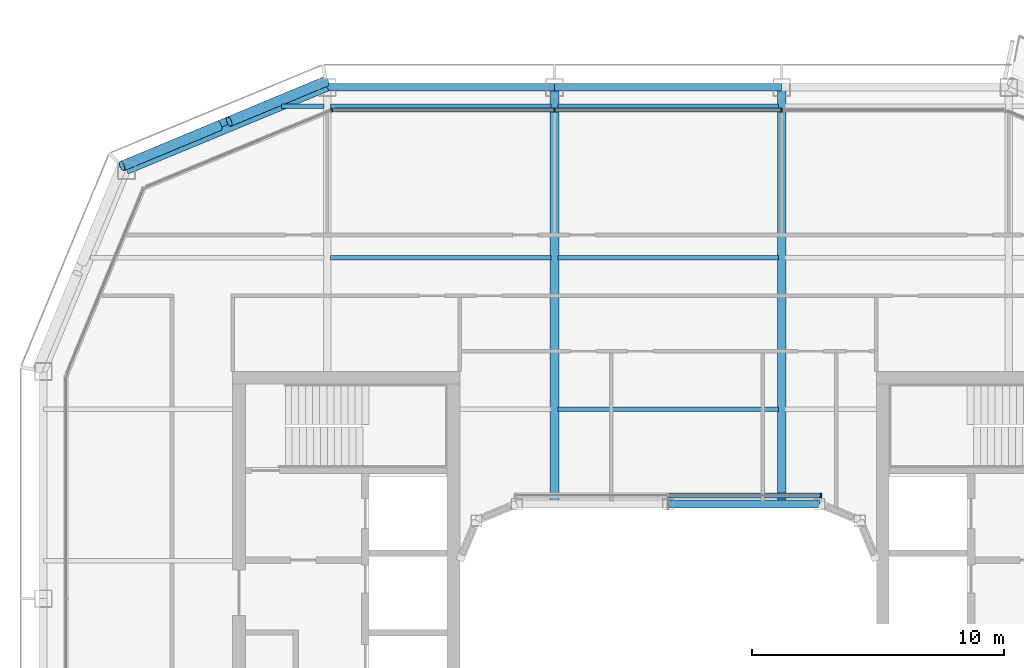
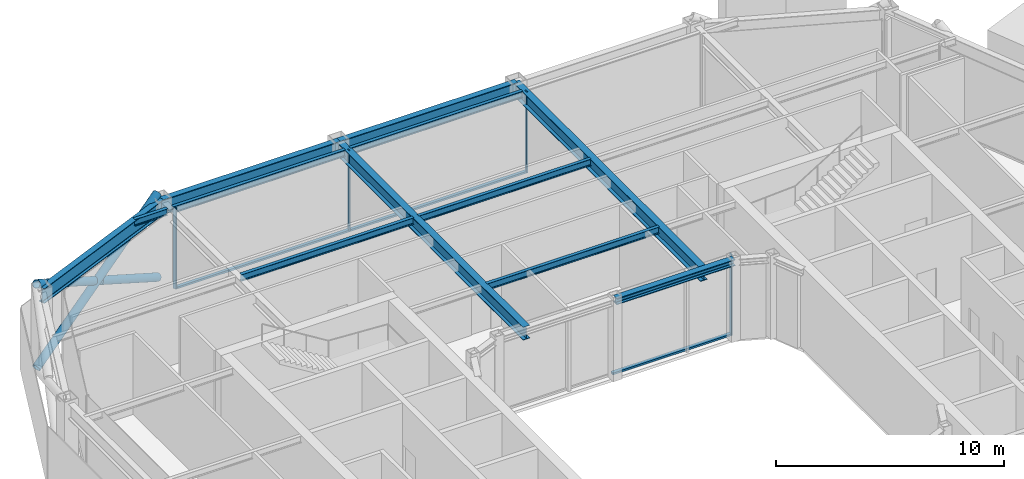
# One storey, part 8 of 21: 12 beams, 10 members, 3 elements without a shape of their own.
"""IFC4 building model written with IfcOpenShell, lengths in metres."""

from ifc_helpers import new_model, si_unit, direction, frame, origin, origin_2d, place, context, subcontext, project, spatial, rectangle, hollow_circle, i_section, extrude, material, layer, layer_set, material_profile, profile_set, type_object, element, aggregate, save


model = new_model("IFC4")

# Units and contexts
model_context = context("Model", 3, precision=1e-05, world=origin(), true_north=direction((0.0, 1.0)))
body_context = subcontext(model_context, "Body", "Model", "MODEL_VIEW")
ifc_project = project(units=[si_unit("LENGTHUNIT", "METRE"), si_unit("AREAUNIT", "SQUARE_METRE"), si_unit("VOLUMEUNIT", "CUBIC_METRE"), si_unit("PLANEANGLEUNIT", "RADIAN"), si_unit("MASSUNIT", "GRAM", prefix="KILO")], contexts=[model_context])

# Site, building, storey
site_placement = place(None, origin())
site = spatial("IfcSite", under=ifc_project, at=site_placement, CompositionType="ELEMENT")
building_placement = place(site_placement, origin())
building = spatial("IfcBuilding", under=site, at=building_placement, Name="Siwar Civic Tower", CompositionType="ELEMENT")
storey_placement = place(building_placement, frame((0.0, 0.0, 325.699951171875)))
storey = spatial("IfcBuildingStorey", under=building, at=storey_placement, Name="L70", CompositionType="ELEMENT", Elevation=325.699951171875)

# Curtain wall, members
ifc_material_1 = material(Name="Aluminium and glass", Category="aluminium")
ifc_layer_1 = layer(ifc_material_1, 0.159912109375)
ifc_layer_set_1 = layer_set([ifc_layer_1], Name="Aluminium and glass")
curtain_wall_type_1 = type_object("IfcCurtainWallType", Name="ENV-CW-D", PredefinedType="NOTDEFINED", material=ifc_layer_set_1)
curtain_wall_1_placement = place(storey_placement, origin())
curtain_wall_1 = element("IfcCurtainWall", 1, at=curtain_wall_1_placement, inside=storey, type_object=curtain_wall_type_1, Name="Curtain wall D N", PredefinedType="NOTDEFINED")
ifc_material_2 = material(Name="Aluminium 6063-T6", Category="aluminium")
ifc_material_profile_1 = material_profile(ifc_material_2, rectangle(XDim=0.159912109375, YDim=0.06005859375, at=origin_2d()), Name="AL 160x60")
ifc_profile_set_1 = profile_set([ifc_material_profile_1], Name="Aluminium 6063-T6")
member_type_1 = type_object("IfcMemberType", Name="ENV-MULLION-D", PredefinedType="MULLION", material=ifc_profile_set_1)
member_1_placement = place(storey_placement, frame((4.5, 23.85009765625, 0.0), z_axis=(0.0, 0.0, 1.0), x_axis=(0.0, -1.0, 0.0)))
member_1 = element("IfcMember", 2, at=member_1_placement, type_object=member_type_1, Name="Mullion D N 2", PredefinedType="MULLION", context=body_context, shape_type="SweptSolid", body=[
    extrude(rectangle(XDim=0.159912109375, YDim=0.06005859375, at=origin_2d()), origin(), (0.0, 0.0, 1.0), 4.35009765625),
])
member_2_placement = place(storey_placement, frame((-4.5, 23.85009765625, 0.0), z_axis=(0.0, 0.0, 1.0), x_axis=(0.0, -1.0, 0.0)))
member_2 = element("IfcMember", 3, at=member_2_placement, type_object=member_type_1, Name="Mullion D N 3", PredefinedType="MULLION", context=body_context, shape_type="SweptSolid", body=[
    extrude(rectangle(XDim=0.159912109375, YDim=0.06005859375, at=origin_2d()), origin(), (0.0, 0.0, 1.0), 4.35009765625),
])

# Curtain wall, member
ifc_material_3 = material(Name="Aluminium clad insulated panel", Category="aluminium")
ifc_layer_2 = layer(ifc_material_3, 0.159912109375)
ifc_layer_set_2 = layer_set([ifc_layer_2], Name="Aluminium clad insulated panel")
curtain_wall_type_2 = type_object("IfcCurtainWallType", Name="ENV-CW-DX", PredefinedType="NOTDEFINED", material=ifc_layer_set_2)
curtain_wall_2_placement = place(storey_placement, origin())
curtain_wall_2 = element("IfcCurtainWall", 4, at=curtain_wall_2_placement, inside=storey, type_object=curtain_wall_type_2, Name="Curtain wall D NW1", PredefinedType="NOTDEFINED")
member_3_placement = place(storey_placement, frame((-13.321044921875, 23.85009765625, 0.0), z_axis=(0.0, 0.0, 1.0), x_axis=(0.382683432365, -0.923879532511, 0.0)))
member_3 = element("IfcMember", 5, at=member_3_placement, type_object=member_type_1, Name="Mullion D NW1 1", PredefinedType="MULLION", context=body_context, shape_type="SweptSolid", body=[
    extrude(rectangle(XDim=0.159912109375, YDim=0.06005859375, at=origin_2d()), origin(), (0.0, 0.0, 1.0), 4.35009765625),
])
aggregate(curtain_wall_2, [member_3])

ifc_material_4 = material(Name="Aluminium and glass", Category="aluminium")
ifc_layer_3 = layer(ifc_material_4, 0.179931640625)
ifc_layer_set_3 = layer_set([ifc_layer_3], Name="Aluminium and glass")
curtain_wall_type_3 = type_object("IfcCurtainWallType", Name="ENV-CW-W", PredefinedType="NOTDEFINED", material=ifc_layer_set_3)
curtain_wall_3_placement = place(storey_placement, origin())
curtain_wall_3 = element("IfcCurtainWall", 6, at=curtain_wall_3_placement, inside=storey, type_object=curtain_wall_type_3, Name="Curtain wall W WN", PredefinedType="NOTDEFINED")
ifc_material_5 = material(Name="Aluminium 6063-T6", Category="aluminium")
ifc_material_profile_2 = material_profile(ifc_material_5, rectangle(XDim=0.179931640625, YDim=0.06005859375, at=origin_2d()), Name="AL 180x60")
ifc_profile_set_2 = profile_set([ifc_material_profile_2], Name="Aluminium 6063-T6")
member_type_2 = type_object("IfcMemberType", Name="ENV-MULLION-W", PredefinedType="MULLION", material=ifc_profile_set_2)
member_4_placement = place(storey_placement, frame((6.066650390625, 8.5849609375, 0.0), z_axis=(0.0, 0.0, 1.0), x_axis=(0.0, -1.0, 0.0)))
member_4 = element("IfcMember", 7, at=member_4_placement, type_object=member_type_2, Name="Mullion W WN 1", PredefinedType="MULLION", context=body_context, shape_type="SweptSolid", body=[
    extrude(rectangle(XDim=0.179931640625, YDim=0.06005859375, at=origin_2d()), origin(), (0.0, 0.0, 1.0), 4.35009765625),
])

# Member
ifc_material_6 = material(Name="Aluminium 6063-T6", Category="aluminium")
ifc_material_profile_3 = material_profile(ifc_material_6, rectangle(XDim=0.159912109375, YDim=0.10009765625, at=origin_2d()), Name="AL 160x100")
ifc_profile_set_3 = profile_set([ifc_material_profile_3], Name="Aluminium 6063-T6")
member_type_3 = type_object("IfcMemberType", Name="ENV-TRANSOM-D", PredefinedType="USERDEFINED", material=ifc_profile_set_3)
member_5_placement = place(storey_placement, frame((4.469970703125, 23.85009765625, 0.050048828125), z_axis=(-1.0, 0.0, 0.0), x_axis=(0.0, -1.0, 0.0)))
member_5 = element("IfcMember", 8, at=member_5_placement, type_object=member_type_3, Name="Transom D N 2", ObjectType="TRANSOM", PredefinedType="USERDEFINED", context=body_context, shape_type="SweptSolid", body=[
    extrude(rectangle(XDim=0.159912109375, YDim=0.10009765625, at=origin_2d()), origin(), (0.0, 0.0, 1.0), 8.93994140625),
])

member_6_placement = place(storey_placement, frame((-4.530029296875, 23.85009765625, 0.050048828125), z_axis=(-1.0, 0.0, 0.0), x_axis=(0.0, -1.0, 0.0)))
member_6 = element("IfcMember", 9, at=member_6_placement, type_object=member_type_3, Name="Transom D N 3", ObjectType="TRANSOM", PredefinedType="USERDEFINED", context=body_context, shape_type="SweptSolid", body=[
    extrude(rectangle(XDim=0.159912109375, YDim=0.10009765625, at=origin_2d()), origin(), (0.0, 0.0, 1.0), 8.693115234375),
])

aggregate(curtain_wall_1, [member_1, member_2, member_5, member_6])

ifc_material_7 = material(Name="Aluminium 6063-T6", Category="aluminium")
ifc_material_profile_4 = material_profile(ifc_material_7, rectangle(XDim=0.179931640625, YDim=0.10009765625, at=origin_2d()), Name="AL 180x100")
ifc_profile_set_4 = profile_set([ifc_material_profile_4], Name="Aluminium 6063-T6")
member_type_4 = type_object("IfcMemberType", Name="ENV-TRANSOM-W", PredefinedType="USERDEFINED", material=ifc_profile_set_4)
member_7_placement = place(storey_placement, frame((6.03662109375, 8.5849609375, 0.050048828125), z_axis=(-1.0, 0.0, 0.0), x_axis=(0.0, -1.0, 0.0)))
member_7 = element("IfcMember", 10, at=member_7_placement, type_object=member_type_4, Name="Transom W WN 1", ObjectType="TRANSOM", PredefinedType="USERDEFINED", context=body_context, shape_type="SweptSolid", body=[
    extrude(rectangle(XDim=0.179931640625, YDim=0.10009765625, at=origin_2d()), origin(), (0.0, 0.0, 1.0), 6.006591796875),
])

aggregate(curtain_wall_3, [member_4, member_7])

# Members
ifc_material_8 = material(Name="Steel S355", Category="steel")
ifc_material_profile_5 = material_profile(ifc_material_8, hollow_circle(Radius=0.203125, WallThickness=0.01611328125, at=origin_2d()), Name="CHS406.4x16")
ifc_profile_set_5 = profile_set([ifc_material_profile_5], Name="Steel S355")
member_type_5 = type_object("IfcMemberType", Name="STR-BR-CHS406.4x16", PredefinedType="BRACE", material=ifc_profile_set_5)
member_8_placement = place(storey_placement, frame((-21.6318359375, 21.6318359375, 0.0), z_axis=(0.821142553604, 0.341671493852, 0.457149315816), x_axis=(-0.384163874976, 0.923264922524, 0.0)))
element("IfcMember", 11, at=member_8_placement, inside=storey, type_object=member_type_5, Name="L70/brc/DNW1-9-0-0", PredefinedType="BRACE", context=body_context, shape_type="SweptSolid", body=[
    extrude(hollow_circle(Radius=0.203125, WallThickness=0.01611328125, at=origin_2d()), origin(), (0.0, 0.0, 1.0), 9.843505859375),
])
for number, where, z_axis, x_axis, name in (
    (12, (-13.548828125, 24.9951171875, 0.0), (-0.821130093572, -0.341659024948, 0.45718101459), (0.384156893273, -0.923267827529, 0.0), "L70/brc/DNW1-9-0-4"),
    (13, (-17.791259765625, 23.229736328125, 2.362060546875), (-0.821166691915, -0.341652533125, 0.457120127208), (0.38413607648, -0.923276488787, 0.0), "L70/brc/DNW1-9-0-5"),
):
    element("IfcMember", number, at=place(storey_placement, frame(where, z_axis=z_axis, x_axis=x_axis)), inside=storey, type_object=member_type_5, Name=name, PredefinedType="BRACE", context=body_context, shape_type="SweptSolid", body=[
        extrude(hollow_circle(Radius=0.203125, WallThickness=0.01611328125, at=origin_2d()), origin(), (0.0, 0.0, 1.0), 4.677001953125),
    ])

# Beams
ifc_material_9 = material(Name="Steel S355", Category="steel")
ifc_material_profile_6 = material_profile(ifc_material_9, i_section(OverallWidth=0.169921875, OverallDepth=0.360107421875, WebThickness=0.008056640625, FlangeThickness=0.0126953125, FilletRadius=0.01806640625, at=origin_2d()), Name="IPE360")
ifc_profile_set_6 = profile_set([ifc_material_profile_6], Name="Steel S355")
beam_type_1 = type_object("IfcBeamType", Name="STR-FB-IPE360", PredefinedType="JOIST", material=ifc_profile_set_6)
for number, where, z_axis, x_axis, name in (
    (14, (-4.3701171875, 12.0, 4.170166015625), (1.0, 0.0, 0.0), (0.0, 1.0, 0.0), "L70/bm/F024"),
    (15, (-13.3701171875, 18.0, 4.170166015625), (1.0, 0.0, 0.0), (0.0, 1.0, 0.0), "L70/bm/F028"),
    (16, (-4.3701171875, 18.0, 4.170166015625), (1.0, 0.0, 0.0), (0.0, 1.0, 0.0), "L70/bm/F029"),
):
    element("IfcBeam", number, at=place(storey_placement, frame(where, z_axis=z_axis, x_axis=x_axis)), inside=storey, type_object=beam_type_1, Name=name, PredefinedType="JOIST", context=body_context, shape_type="SweptSolid", body=[
        extrude(i_section(OverallWidth=0.169921875, OverallDepth=0.360107421875, WebThickness=0.008056640625, FlangeThickness=0.0126953125, FilletRadius=0.01806640625, at=origin_2d()), origin(), (0.0, 0.0, 1.0), 8.740234375),
    ])
beam_1_placement = place(storey_placement, frame((-15.310546875, 24.0, 4.170166015625), z_axis=(1.0, 0.0, 0.0), x_axis=(0.0, 1.0, 0.0)))
element("IfcBeam", 17, at=beam_1_placement, inside=storey, type_object=beam_type_1, Name="L70/bm/F032", PredefinedType="JOIST", context=body_context, shape_type="SweptSolid", body=[
    extrude(i_section(OverallWidth=0.169921875, OverallDepth=0.360107421875, WebThickness=0.008056640625, FlangeThickness=0.0126953125, FilletRadius=0.01806640625, at=origin_2d()), origin(), (0.0, 0.0, 1.0), 1.6806640625),
])
for number, where, z_axis, x_axis, name in (
    (18, (-13.3701171875, 24.0, 4.170166015625), (1.0, 0.0, 0.0), (0.0, 1.0, 0.0), "L70/bm/F033"),
    (19, (-4.3701171875, 24.0, 4.170166015625), (1.0, 0.0, 0.0), (0.0, 1.0, 0.0), "L70/bm/F034"),
):
    element("IfcBeam", number, at=place(storey_placement, frame(where, z_axis=z_axis, x_axis=x_axis)), inside=storey, type_object=beam_type_1, Name=name, PredefinedType="JOIST", context=body_context, shape_type="SweptSolid", body=[
        extrude(i_section(OverallWidth=0.169921875, OverallDepth=0.360107421875, WebThickness=0.008056640625, FlangeThickness=0.0126953125, FilletRadius=0.01806640625, at=origin_2d()), origin(), (0.0, 0.0, 1.0), 8.740234375),
    ])
ifc_material_10 = material(Name="Steel S355", Category="steel")
ifc_material_profile_7 = material_profile(ifc_material_10, i_section(OverallWidth=0.340087890625, OverallDepth=0.699951171875, WebThickness=0.013916015625, FlangeThickness=0.030029296875, at=origin_2d()), Name="PG700x340x14x30")
ifc_profile_set_7 = profile_set([ifc_material_profile_7], Name="Steel S355")
beam_type_2 = type_object("IfcBeamType", Name="STR-PG-PG700x340x14x30", PredefinedType="BEAM", material=ifc_profile_set_7)
for number, where, z_axis, x_axis, name in (
    (20, (-4.5, 8.25, 4.0), (0.0, 1.0, 0.0), (-1.0, 0.0, 0.0), "L70/bm/G04"),
    (21, (4.5, 8.25, 4.0), (0.0, 1.0, 0.0), (-1.0, 0.0, 0.0), "L70/bm/G06"),
):
    element("IfcBeam", number, at=place(storey_placement, frame(where, z_axis=z_axis, x_axis=x_axis)), inside=storey, type_object=beam_type_2, Name=name, PredefinedType="BEAM", context=body_context, shape_type="SweptSolid", body=[
        extrude(i_section(OverallWidth=0.340087890625, OverallDepth=0.699951171875, WebThickness=0.013916015625, FlangeThickness=0.030029296875, at=origin_2d()), origin(), (0.0, 0.0, 1.0), 16.5),
    ])
ifc_material_11 = material(Name="Steel S355", Category="steel")
ifc_material_profile_8 = material_profile(ifc_material_11, i_section(OverallWidth=0.31005859375, OverallDepth=0.340087890625, WebThickness=0.02099609375, FlangeThickness=0.0390625, FilletRadius=0.027099609375, at=origin_2d()), Name="HEM300")
ifc_profile_set_8 = profile_set([ifc_material_profile_8], Name="Steel S355")
beam_type_3 = type_object("IfcBeamType", Name="STR-RB-HEM300", PredefinedType="BEAM", material=ifc_profile_set_8)
beam_2_placement = place(storey_placement, frame((0.0, 8.25, 4.179931640625), z_axis=(1.0, 0.0, 0.0), x_axis=(0.0, 1.0, 0.0)))
element("IfcBeam", 22, at=beam_2_placement, inside=storey, type_object=beam_type_3, Name="L70/bm/RN2", PredefinedType="BEAM", context=body_context, shape_type="SweptSolid", body=[
    extrude(i_section(OverallWidth=0.31005859375, OverallDepth=0.340087890625, WebThickness=0.02099609375, FlangeThickness=0.0390625, FilletRadius=0.027099609375, at=origin_2d()), origin(), (0.0, 0.0, 1.0), 6.0),
])
ifc_material_12 = material(Name="Steel S355", Category="steel")
ifc_material_profile_9 = material_profile(ifc_material_12, i_section(OverallWidth=0.300048828125, OverallDepth=0.800048828125, WebThickness=0.017578125, FlangeThickness=0.032958984375, FilletRadius=0.030029296875, at=origin_2d()), Name="HEB800")
ifc_profile_set_9 = profile_set([ifc_material_profile_9], Name="Steel S355")
beam_type_4 = type_object("IfcBeamType", Name="STR-SB-HEB800", PredefinedType="BEAM", material=ifc_profile_set_9)
for number, where, z_axis, x_axis, name in (
    (23, (4.5, 24.75, 3.949951171875), (-1.0, 0.0, 0.0), (0.0, -1.0, 0.0), "L70/bm/SN-1"),
    (24, (-4.5, 24.75, 3.949951171875), (-1.0, 0.0, 0.0), (0.0, -1.0, 0.0), "L70/bm/SN-2"),
):
    element("IfcBeam", number, at=place(storey_placement, frame(where, z_axis=z_axis, x_axis=x_axis)), inside=storey, type_object=beam_type_4, Name=name, PredefinedType="BEAM", context=body_context, shape_type="SweptSolid", body=[
        extrude(i_section(OverallWidth=0.300048828125, OverallDepth=0.800048828125, WebThickness=0.017578125, FlangeThickness=0.032958984375, FilletRadius=0.030029296875, at=origin_2d()), origin(), (0.0, 0.0, 1.0), 9.0),
    ])
beam_3_placement = place(storey_placement, frame((-13.5, 24.75, 3.949951171875), z_axis=(-0.923872720536, -0.382699877515, 0.0), x_axis=(0.382699877515, -0.923872720536, 0.0)))
element("IfcBeam", 25, at=beam_3_placement, inside=storey, type_object=beam_type_4, Name="L70/bm/SNW1-0", PredefinedType="BEAM", context=body_context, shape_type="SweptSolid", body=[
    extrude(i_section(OverallWidth=0.300048828125, OverallDepth=0.800048828125, WebThickness=0.017578125, FlangeThickness=0.032958984375, FilletRadius=0.030029296875, at=origin_2d()), origin(), (0.0, 0.0, 1.0), 8.6103515625),
])

save(model, "model.ifc")
